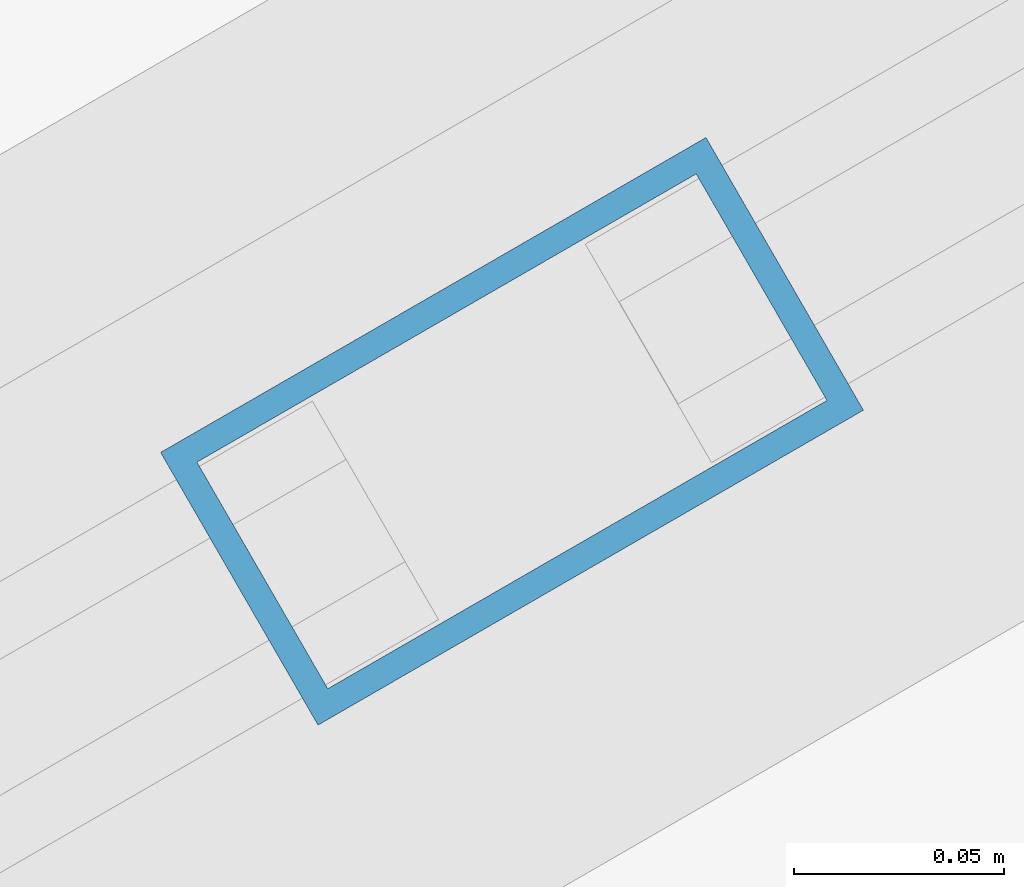
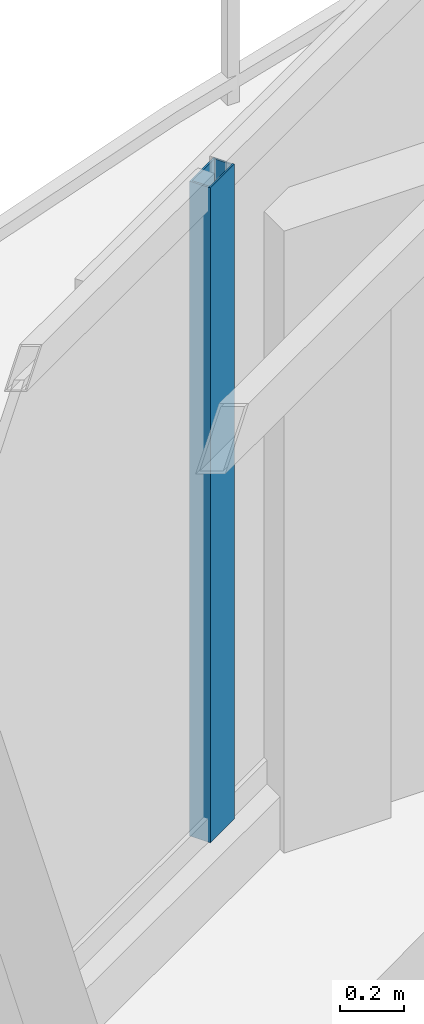
# One storey, part 10 of 21: 1 member, 1 element without a shape of its own.
"""IFC4 building model written with IfcOpenShell, lengths in metres."""

from ifc_helpers import new_model, si_unit, direction, frame, origin, origin_2d, place, context, subcontext, project, spatial, hollow_rectangle, extrude, material, layer, layer_set, material_profile, profile_set, type_object, element, aggregate, save


model = new_model("IFC4")

# Units and contexts
model_context = context("Model", 3, precision=1e-05, world=origin(), true_north=direction((0.0, 1.0)))
body_context = subcontext(model_context, "Body", "Model", "MODEL_VIEW")
ifc_project = project(units=[si_unit("LENGTHUNIT", "METRE"), si_unit("AREAUNIT", "SQUARE_METRE"), si_unit("VOLUMEUNIT", "CUBIC_METRE"), si_unit("PLANEANGLEUNIT", "RADIAN"), si_unit("MASSUNIT", "GRAM", prefix="KILO")], contexts=[model_context])

# Site, building, storey
site_placement = place(None, origin())
site = spatial("IfcSite", under=ifc_project, at=site_placement, CompositionType="ELEMENT")
building_placement = place(site_placement, origin())
building = spatial("IfcBuilding", under=site, at=building_placement, Name="Mersakhor Tower and Convention Hall", CompositionType="ELEMENT")
storey_placement = place(building_placement, frame((0.0, 0.0, 182.10009765625)))
storey = spatial("IfcBuildingStorey", under=building, at=storey_placement, Name="L50", CompositionType="ELEMENT", Elevation=182.10009765625)

# Curtain wall, member
ifc_material_1 = material(Name="Dark solar low-E aluminium curtain wall", Category="aluminium")
ifc_layer = layer(ifc_material_1, 0.169921875)
ifc_layer_set = layer_set([ifc_layer], Name="Dark solar low-E aluminium curtain wall")
curtain_wall_type = type_object("IfcCurtainWallType", Name="CW-SYS-02", PredefinedType="USERDEFINED", material=ifc_layer_set)
curtain_wall_placement = place(storey_placement, origin())
curtain_wall = element("IfcCurtainWall", 1, at=curtain_wall_placement, inside=storey, type_object=curtain_wall_type, Name="L50 Dark-Glass Curtain Wall F1-B2", ObjectType="CURTAIN WALL", PredefinedType="USERDEFINED")
ifc_material_2 = material(Name="Anodised aluminium EN AW-6063 T6", Category="aluminium")
ifc_material_profile = material_profile(ifc_material_2, hollow_rectangle(XDim=0.074951171875, YDim=0.14990234375, WallThickness=0.00634765625, at=origin_2d()), Name="RHS 150x75x6.3")
ifc_profile_set = profile_set([ifc_material_profile], Name="Anodised aluminium EN AW-6063 T6")
member_type = type_object("IfcMemberType", Name="CWM-150x75", PredefinedType="MULLION", material=ifc_profile_set)
member_placement = place(storey_placement, frame((24.504638671875, 37.535888671875, 0.199951171875), z_axis=(0.0, 0.0, 1.0), x_axis=(-0.500007824483, 0.86602088627, 0.0)))
member = element("IfcMember", 2, at=member_placement, type_object=member_type, Name="CW-02 mullion 3", PredefinedType="MULLION", context=body_context, shape_type="SweptSolid", body=[
    extrude(hollow_rectangle(XDim=0.074951171875, YDim=0.14990234375, WallThickness=0.00634765625, at=origin_2d()), origin(), (0.0, 0.0, 1.0), 2.489990234375),
])
aggregate(curtain_wall, [member])

save(model, "model.ifc")
